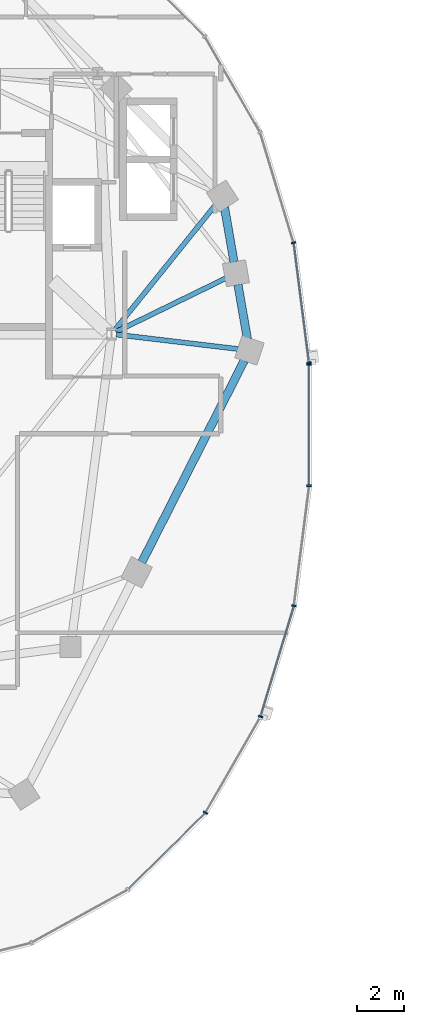
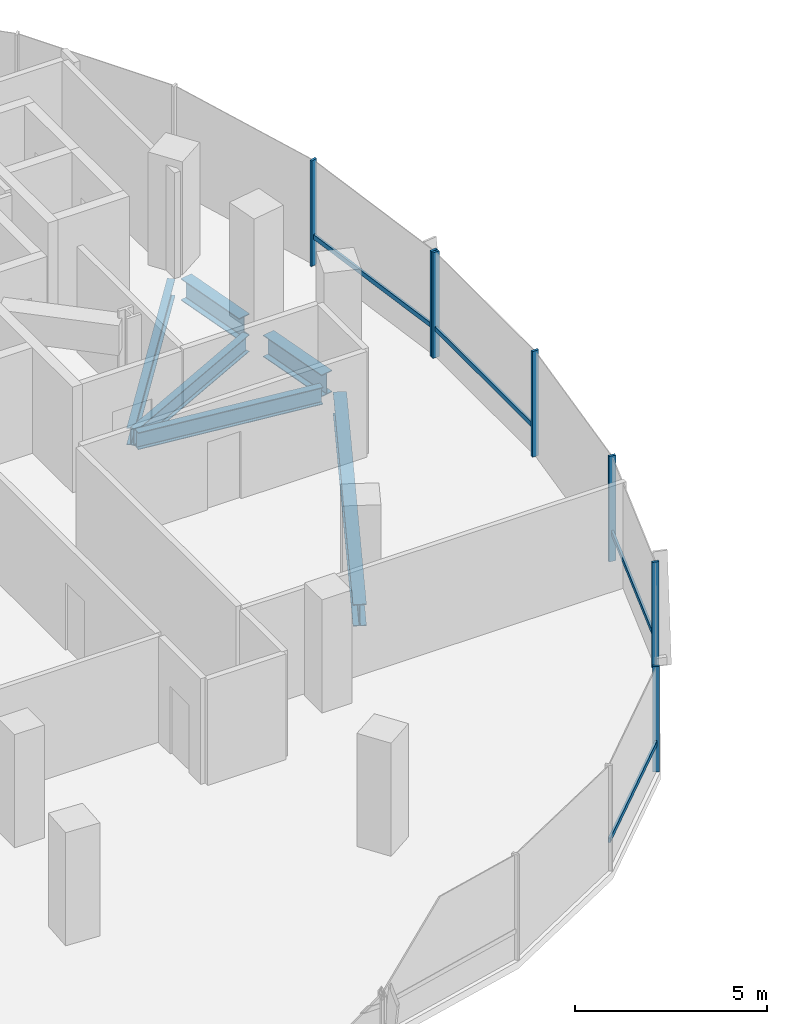
# One storey, part 4 of 22: 11 members, 6 beams, 2 elements without a shape of their own.
"""IFC4 building model written with IfcOpenShell, lengths in metres."""

from ifc_helpers import new_model, si_unit, direction, frame, origin, origin_2d, place, context, subcontext, project, spatial, rectangle, i_section, extrude, material, material_profile, profile_set, type_object, element, aggregate, save


model = new_model("IFC4")

# Units and contexts
model_context = context("Model", 3, precision=1e-05, world=origin(), true_north=direction((0.0, 1.0)))
body_context = subcontext(model_context, "Body", "Model", "MODEL_VIEW")
ifc_project = project(units=[si_unit("LENGTHUNIT", "METRE"), si_unit("AREAUNIT", "SQUARE_METRE"), si_unit("VOLUMEUNIT", "CUBIC_METRE"), si_unit("PLANEANGLEUNIT", "RADIAN"), si_unit("MASSUNIT", "GRAM", prefix="KILO"), si_unit("THERMODYNAMICTEMPERATUREUNIT", "KELVIN"), si_unit("POWERUNIT", "WATT")], contexts=[model_context])

# Site, building, storey
site_placement = place(None, origin())
site = spatial("IfcSite", under=ifc_project, at=site_placement, CompositionType="ELEMENT")
building_placement = place(site_placement, origin())
building = spatial("IfcBuilding", under=site, at=building_placement, Name="Cundina Bronze Exchange", CompositionType="ELEMENT")
storey_placement = place(building_placement, frame((0.0, 0.0, 162.0)))
storey = spatial("IfcBuildingStorey", under=building, at=storey_placement, Name="L42", CompositionType="ELEMENT", Elevation=162.0)

# Beams
ifc_material_1 = material(Name="Steel ASTM A992 Grade 50", Category="steel")
ifc_material_profile_1 = material_profile(ifc_material_1, i_section(OverallWidth=0.2119140625, OverallDepth=0.5439453125, WebThickness=0.01318359375, FlangeThickness=0.021240234375, FilletRadius=0.013916015625, at=origin_2d()), Name="W21X83", Category="steel")
ifc_profile_set_1 = profile_set([ifc_material_profile_1], Name="Steel ASTM A992 Grade 50")
beam_type_1 = type_object("IfcBeamType", Name="BM-FLR-W21A", PredefinedType="BEAM", material=ifc_profile_set_1)
beam_1_placement = place(storey_placement, frame((-21.247314453125, 3.8759765625, -0.511962890625), z_axis=(0.993036158382, -0.11780996624, 0.0), x_axis=(0.11780996624, 0.993036158382, 0.0)))
element("IfcBeam", 1, at=beam_1_placement, inside=storey, type_object=beam_type_1, Name="L42 Leg W Radial Floor Beam 00", PredefinedType="BEAM", context=body_context, shape_type="SweptSolid", body=[
    extrude(i_section(OverallWidth=0.2119140625, OverallDepth=0.5439453125, WebThickness=0.01318359375, FlangeThickness=0.021240234375, FilletRadius=0.013916015625, at=origin_2d()), origin(), (0.0, 0.0, 1.0), 5.249267578125),
])
beam_2_placement = place(storey_placement, frame((-21.2666015625, 3.989501953125, -0.511962890625), z_axis=(0.898604300669, 0.438759969481, 0.0), x_axis=(-0.438759969481, 0.898604300669, 0.0)))
element("IfcBeam", 2, at=beam_2_placement, inside=storey, type_object=beam_type_1, Name="L42 Leg W Radial Floor Beam 01", PredefinedType="BEAM", context=body_context, shape_type="SweptSolid", body=[
    extrude(i_section(OverallWidth=0.2119140625, OverallDepth=0.5439453125, WebThickness=0.01318359375, FlangeThickness=0.021240234375, FilletRadius=0.013916015625, at=origin_2d()), origin(), (0.0, 0.0, 1.0), 5.23388671875),
])
beam_3_placement = place(storey_placement, frame((-21.322021484375, 4.058837890625, -0.511962890625), z_axis=(0.627088684379, 0.778947868553, 0.0), x_axis=(-0.778947868553, 0.627088684379, 0.0)))
element("IfcBeam", 3, at=beam_3_placement, inside=storey, type_object=beam_type_1, Name="L42 Leg W Radial Floor Beam 02", PredefinedType="BEAM", context=body_context, shape_type="SweptSolid", body=[
    extrude(i_section(OverallWidth=0.2119140625, OverallDepth=0.5439453125, WebThickness=0.01318359375, FlangeThickness=0.021240234375, FilletRadius=0.013916015625, at=origin_2d()), origin(), (0.0, 0.0, 1.0), 6.882568359375),
])
ifc_material_profile_2 = material_profile(ifc_material_1, i_section(OverallWidth=0.35498046875, OverallDepth=0.695068359375, WebThickness=0.015380859375, FlangeThickness=0.02490234375, FilletRadius=0.01806640625, at=origin_2d()), Name="W27X146", Category="steel")
ifc_profile_set_2 = profile_set([ifc_material_profile_2], Name="Steel ASTM A992 Grade 50")
beam_type_2 = type_object("IfcBeamType", Name="BM-RING-W27", PredefinedType="USERDEFINED", material=ifc_profile_set_2)
for number, where, z_axis, x_axis, name in (
    (4, (-15.6337890625, 3.680908203125, -0.58740234375), (-0.171666718895, 0.985155083032, 0.0), (-0.985155083032, -0.171666718895, 0.0), "L42 W Perimeter Ring Girder 00"),
    (5, (-16.208740234375, 6.980712890625, -0.58740234375), (-0.171666718895, 0.985155083032, 0.0), (-0.985155083032, -0.171666718895, 0.0), "L42 W Perimeter Ring Girder 01"),
):
    element("IfcBeam", number, at=place(storey_placement, frame(where, z_axis=z_axis, x_axis=x_axis)), inside=storey, type_object=beam_type_2, Name=name, ObjectType="GIRDER", PredefinedType="USERDEFINED", context=body_context, shape_type="SweptSolid", body=[
        extrude(i_section(OverallWidth=0.35498046875, OverallDepth=0.695068359375, WebThickness=0.015380859375, FlangeThickness=0.02490234375, FilletRadius=0.01806640625, at=origin_2d()), origin(), (0.0, 0.0, 1.0), 2.37353515625),
    ])
beam_4_placement = place(storey_placement, frame((-20.154052734375, -5.864990234375, -0.58740234375), z_axis=(0.452834585354, 0.891594548159, 0.0), x_axis=(-0.891594548159, 0.452834585354, 0.0)))
element("IfcBeam", 6, at=beam_4_placement, inside=storey, type_object=beam_type_2, Name="L42 W Perimeter Ring Girder 13", ObjectType="GIRDER", PredefinedType="USERDEFINED", context=body_context, shape_type="SweptSolid", body=[
    extrude(i_section(OverallWidth=0.35498046875, OverallDepth=0.695068359375, WebThickness=0.015380859375, FlangeThickness=0.02490234375, FilletRadius=0.01806640625, at=origin_2d()), origin(), (0.0, 0.0, 1.0), 9.67919921875),
])

# Curtain wall, members
ifc_material_2 = material(Name="Anodised Bronze Aluminium 6063-T6", Category="aluminium")
curtain_wall_type = type_object("IfcCurtainWallType", Name="CWS-WST-PIN", PredefinedType="NOTDEFINED", material=ifc_material_2)
curtain_wall_1_placement = place(storey_placement, origin())
curtain_wall_1 = element("IfcCurtainWall", 7, at=curtain_wall_1_placement, inside=storey, type_object=curtain_wall_type, Name="L42 CW-04 Curtain Wall Run CWR-L42-W1", PredefinedType="NOTDEFINED")
ifc_material_profile_3 = material_profile(ifc_material_2, rectangle(XDim=0.070068359375, YDim=0.18994140625, at=origin_2d()), Name="AL70X190", Category="aluminium")
ifc_profile_set_3 = profile_set([ifc_material_profile_3], Name="Anodised Bronze Aluminium 6063-T6")
member_type_1 = type_object("IfcMemberType", Name="CWM-MUL-190", PredefinedType="MULLION", material=ifc_profile_set_3)
member_1_placement = place(storey_placement, frame((-12.998291015625, 2.676025390625, 0.0), z_axis=(0.0, 0.0, 1.0), x_axis=(-0.126545236492, 0.991960837494, 0.0)))
member_1 = element("IfcMember", 8, at=member_1_placement, type_object=member_type_1, Name="CW-04 Mullion 1", PredefinedType="MULLION", context=body_context, shape_type="SweptSolid", body=[
    extrude(rectangle(XDim=0.070068359375, YDim=0.18994140625, at=origin_2d()), origin(), (0.0, 0.0, 1.0), 3.360107421875),
])
member_2_placement = place(storey_placement, frame((-13.6591796875, 7.80859375, 0.0), z_axis=(0.0, 0.0, 1.0), x_axis=(-0.290034140915, 0.957016299288, 0.0)))
member_2 = element("IfcMember", 9, at=member_2_placement, type_object=member_type_1, Name="CW-04 Mullion 2", PredefinedType="MULLION", context=body_context, shape_type="SweptSolid", body=[
    extrude(rectangle(XDim=0.070068359375, YDim=0.18994140625, at=origin_2d()), origin(), (0.0, 0.0, 1.0), 3.360107421875),
])

curtain_wall_2_placement = place(storey_placement, origin())
curtain_wall_2 = element("IfcCurtainWall", 10, at=curtain_wall_2_placement, inside=storey, type_object=curtain_wall_type, Name="L42 CW-04 Curtain Wall Run CWR-L42-W4", PredefinedType="NOTDEFINED")
member_3_placement = place(storey_placement, frame((-17.42919921875, -16.588134765625, 0.0), z_axis=(0.0, 0.0, 1.0), x_axis=(0.498487739754, 0.866896748936, 0.0)))
member_3 = element("IfcMember", 11, at=member_3_placement, type_object=member_type_1, Name="CW-04 Mullion 4", PredefinedType="MULLION", context=body_context, shape_type="SweptSolid", body=[
    extrude(rectangle(XDim=0.070068359375, YDim=0.18994140625, at=origin_2d()), origin(), (0.0, 0.0, 1.0), 3.360107421875),
])
member_4_placement = place(storey_placement, frame((-15.07373046875, -12.4755859375, 0.0), z_axis=(0.0, 0.0, 1.0), x_axis=(0.290034140915, 0.957016299288, 0.0)))
member_4 = element("IfcMember", 12, at=member_4_placement, type_object=member_type_1, Name="CW-04 Mullion 5", PredefinedType="MULLION", context=body_context, shape_type="SweptSolid", body=[
    extrude(rectangle(XDim=0.070068359375, YDim=0.18994140625, at=origin_2d()), origin(), (0.0, 0.0, 1.0), 3.360107421875),
])
member_5_placement = place(storey_placement, frame((-13.642822265625, -7.731689453125, 0.0), z_axis=(0.0, 0.0, 1.0), x_axis=(0.126545236492, 0.991960837494, 0.0)))
member_5 = element("IfcMember", 13, at=member_5_placement, type_object=member_type_1, Name="CW-04 Mullion 6", PredefinedType="MULLION", context=body_context, shape_type="SweptSolid", body=[
    extrude(rectangle(XDim=0.070068359375, YDim=0.18994140625, at=origin_2d()), origin(), (0.0, 0.0, 1.0), 3.360107421875),
])
member_6_placement = place(storey_placement, frame((-12.992919921875, -2.593017578125, 0.0), z_axis=(0.0, 0.0, 1.0), x_axis=(0.0, 1.0, 0.0)))
member_6 = element("IfcMember", 14, at=member_6_placement, type_object=member_type_1, Name="CW-04 Mullion 7", PredefinedType="MULLION", context=body_context, shape_type="SweptSolid", body=[
    extrude(rectangle(XDim=0.070068359375, YDim=0.18994140625, at=origin_2d()), origin(), (0.0, 0.0, 1.0), 3.360107421875),
])
member_7_placement = place(storey_placement, frame((-12.992919921875, 2.593017578125, 0.0), z_axis=(0.0, 0.0, 1.0), x_axis=(0.0, 1.0, 0.0)))
member_7 = element("IfcMember", 15, at=member_7_placement, type_object=member_type_1, Name="CW-04 End Mullion", PredefinedType="MULLION", context=body_context, shape_type="SweptSolid", body=[
    extrude(rectangle(XDim=0.070068359375, YDim=0.18994140625, at=origin_2d()), origin(), (0.0, 0.0, 1.0), 3.360107421875),
])

# Member
ifc_material_profile_4 = material_profile(ifc_material_2, rectangle(XDim=0.06494140625, YDim=0.14990234375, at=origin_2d()), Name="AL65X150", Category="aluminium")
ifc_profile_set_4 = profile_set([ifc_material_profile_4], Name="Anodised Bronze Aluminium 6063-T6")
member_type_2 = type_object("IfcMemberType", Name="CWM-TRN-150", PredefinedType="USERDEFINED", material=ifc_profile_set_4)
member_8_placement = place(storey_placement, frame((-13.003173828125, 2.71435546875, 0.919921875), z_axis=(-0.12646340362, 0.991971273548, 0.0), x_axis=(-0.991971273548, -0.12646340362, 0.0)))
member_8 = element("IfcMember", 16, at=member_8_placement, type_object=member_type_2, Name="CW-04 Spandrel Transom 1", ObjectType="TRANSOM", PredefinedType="USERDEFINED", context=body_context, shape_type="SweptSolid", body=[
    extrude(rectangle(XDim=0.06494140625, YDim=0.14990234375, at=origin_2d()), origin(), (0.0, 0.0, 1.0), 5.0966796875),
])

aggregate(curtain_wall_1, [member_1, member_8, member_2])

member_9_placement = place(storey_placement, frame((-20.71337890625, -19.839599609375, 0.919921875), z_axis=(0.712005023839, 0.702174370102, 0.0), x_axis=(-0.702174370102, 0.712005023839, 0.0)))
member_9 = element("IfcMember", 17, at=member_9_placement, type_object=member_type_2, Name="CW-04 Spandrel Transom 3", ObjectType="TRANSOM", PredefinedType="USERDEFINED", context=body_context, shape_type="SweptSolid", body=[
    extrude(rectangle(XDim=0.06494140625, YDim=0.14990234375, at=origin_2d()), origin(), (0.0, 0.0, 1.0), 4.594482421875),
])

member_10_placement = place(storey_placement, frame((-15.062744140625, -12.43896484375, 0.919921875), z_axis=(0.290051855969, 0.957010930371, 0.0), x_axis=(-0.957010930371, 0.290051855969, 0.0)))
member_10 = element("IfcMember", 18, at=member_10_placement, type_object=member_type_2, Name="CW-04 Spandrel Transom 5", ObjectType="TRANSOM", PredefinedType="USERDEFINED", context=body_context, shape_type="SweptSolid", body=[
    extrude(rectangle(XDim=0.06494140625, YDim=0.14990234375, at=origin_2d()), origin(), (0.0, 0.0, 1.0), 4.876953125),
])

member_11_placement = place(storey_placement, frame((-12.992919921875, -2.554443359375, 0.919921875), z_axis=(0.0, 1.0, 0.0), x_axis=(-1.0, 0.0, 0.0)))
member_11 = element("IfcMember", 19, at=member_11_placement, type_object=member_type_2, Name="CW-04 Spandrel Transom 7", ObjectType="TRANSOM", PredefinedType="USERDEFINED", context=body_context, shape_type="SweptSolid", body=[
    extrude(rectangle(XDim=0.06494140625, YDim=0.14990234375, at=origin_2d()), origin(), (0.0, 0.0, 1.0), 5.10888671875),
])

aggregate(curtain_wall_2, [member_9, member_3, member_4, member_10, member_5, member_6, member_7, member_11])

save(model, "model.ifc")
